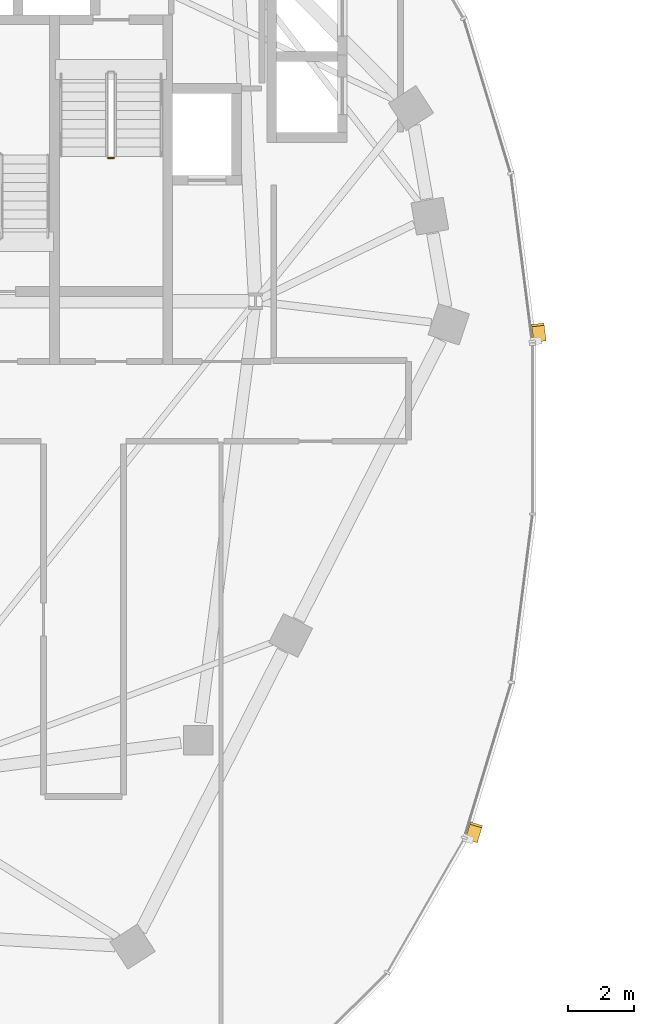
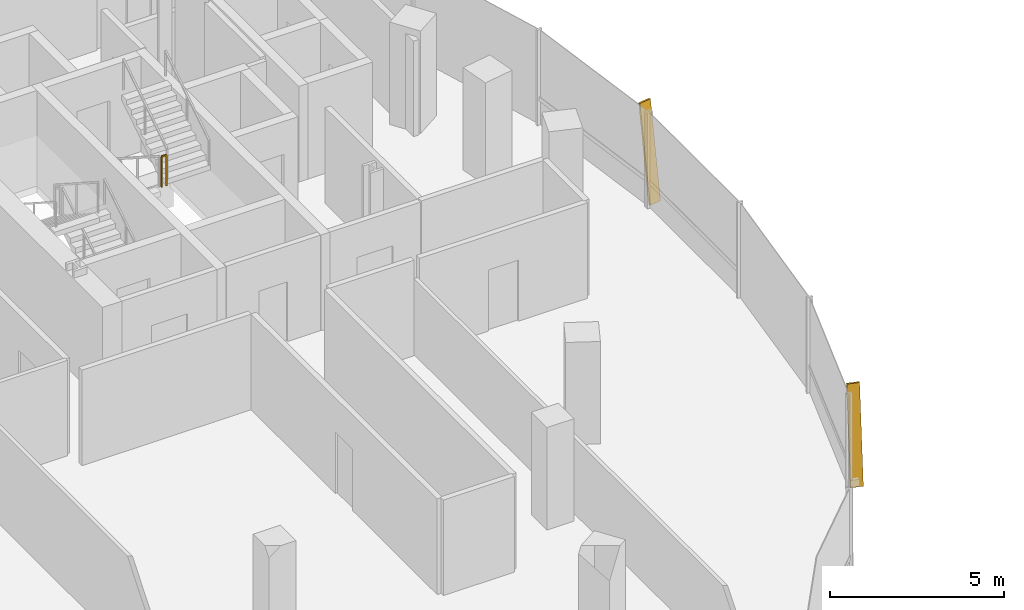
# One storey, part 19 of 22: 2 shading devices, 1 railing.
"""IFC4 building model written with IfcOpenShell, lengths in metres."""

import ifcopenshell
import ifcopenshell.guid

model = None  # the IFC model being written
_history = None  # IfcOwnerHistory: only IFC2X3 demands one
_inside = {}  # id of a spatial element -> (the spatial element, [elements in it])
_under = {}  # id of a project, library or spatial element -> (it, [spatial elements below it])
_declared = {}  # id of a project -> (the project, [libraries it declares])
_typed = {}  # id of a type object -> (the type object, [elements of that type])
_made_of = {}  # id of a material, layer set ... -> (it, [elements and type objects made of it])


def new_model(schema):
    """Start an empty IFC model of exactly this schema.

    Asked for "IFC4X3", IfcOpenShell would pick the latest addendum, in which some entities
    have other attributes; the version numbers below select the first issue.
    IFC2X3 requires an IfcOwnerHistory on every rooted entity: one is made here for all.
    """
    global model, _history
    if schema == "IFC4X3":
        model = ifcopenshell.file(schema_version=(4, 3, 0, 0))
    else:
        model = ifcopenshell.file(schema=schema)
    _inside.clear()
    _under.clear()
    _declared.clear()
    _typed.clear()
    _made_of.clear()
    _history = None
    if model.schema == "IFC2X3":
        org = make("IfcOrganization", Name="unknown")
        user = make(
            "IfcPersonAndOrganization",
            ThePerson=make("IfcPerson", FamilyName="unknown"),
            TheOrganization=org,
        )
        app = make(
            "IfcApplication",
            ApplicationDeveloper=org,
            Version="unknown",
            ApplicationFullName="unknown",
            ApplicationIdentifier="unknown",
        )
        _history = make(
            "IfcOwnerHistory",
            OwningUser=user,
            OwningApplication=app,
            ChangeAction="ADDED",
            CreationDate=0,
        )
    return model


def make(cls, **values):
    """One entity of the class cls with the attributes given. An attribute that is None is left unset."""
    return model.create_entity(
        cls, **{name: value for name, value in values.items() if value is not None}
    )


def rooted(cls, **values):
    """An entity with a GlobalId (a new one), such as an element, a storey or a relation."""
    return make(cls, GlobalId=ifcopenshell.guid.new(), OwnerHistory=_history, **values)


def si_unit(unit_type, name, prefix=None):
    """IfcSIUnit, for example si_unit("LENGTHUNIT", "METRE", prefix="MILLI")."""
    return make("IfcSIUnit", UnitType=unit_type, Prefix=prefix, Name=name)


def assignment(units):
    """IfcUnitAssignment: the units of a project."""
    return None if units is None else make("IfcUnitAssignment", Units=units)


def point(xyz):
    """IfcCartesianPoint."""
    return None if xyz is None else make("IfcCartesianPoint", Coordinates=xyz)


def direction(xyz):
    """IfcDirection."""
    return None if xyz is None else make("IfcDirection", DirectionRatios=xyz)


def frame(location, z_axis=None, x_axis=None):
    """IfcAxis2Placement3D, a coordinate frame: its origin and axes. An axis left out is left unset."""
    return make(
        "IfcAxis2Placement3D",
        Location=point(location),
        Axis=direction(z_axis),
        RefDirection=direction(x_axis),
    )


def frame_2d(location, x_axis=None):
    """IfcAxis2Placement2D, a coordinate frame in the plane: its origin and x axis."""
    return make(
        "IfcAxis2Placement2D", Location=point(location), RefDirection=direction(x_axis)
    )


def origin():
    """The frame at (0, 0, 0) with its axes left unset."""
    return frame((0.0, 0.0, 0.0))


def origin_2d():
    """The frame at (0, 0) in the plane with its x axis left unset."""
    return frame_2d((0.0, 0.0))


def place(relative_to, where):
    """IfcLocalPlacement: puts the frame where relative to a parent placement (None: the world)."""
    return make(
        "IfcLocalPlacement", PlacementRelTo=relative_to, RelativePlacement=where
    )


def context(
    kind, dimensions, precision=None, world=None, true_north=None, identifier=None
):
    """IfcGeometricRepresentationContext, for example the 3D "Model" context."""
    return make(
        "IfcGeometricRepresentationContext",
        ContextIdentifier=identifier,
        ContextType=kind,
        CoordinateSpaceDimension=dimensions,
        Precision=precision,
        WorldCoordinateSystem=world,
        TrueNorth=true_north,
    )


def subcontext(parent, identifier, kind, view, scale=None):
    """IfcGeometricRepresentationSubContext, for example "Body" below "Model"."""
    return make(
        "IfcGeometricRepresentationSubContext",
        ContextIdentifier=identifier,
        ContextType=kind,
        ParentContext=parent,
        TargetScale=scale,
        TargetView=view,
    )


def project(units=None, contexts=None):
    """IfcProject with its units and contexts."""
    return rooted(
        "IfcProject",
        Name="project",
        RepresentationContexts=contexts,
        UnitsInContext=assignment(units),
    )


def spatial(cls, under=None, at=None, **own):
    """A site, building, storey or space (cls), placed at a placement, below another one or the project."""
    s = rooted(cls, ObjectPlacement=at, **own)
    if under is not None:
        _under.setdefault(under.id(), (under, []))[1].append(s)
    return s


def profile(cls, at=None, kind="AREA", **sizes):
    """A parametric profile (cls). Its sizes go by their IFC names, for example OverallWidth=200.0."""
    return make(cls, ProfileType=kind, Position=at, **sizes)


def rectangle(**sizes):
    """IfcRectangleProfileDef."""
    return profile("IfcRectangleProfileDef", **sizes)


def extrude(swept, where, along, depth):
    """IfcExtrudedAreaSolid: the profile swept, set in the frame where, extruded along a direction by depth."""
    return make(
        "IfcExtrudedAreaSolid",
        SweptArea=swept,
        Position=where,
        ExtrudedDirection=direction(along),
        Depth=depth,
    )


def shape(context_of_items, identifier, shape_type, items):
    """IfcShapeRepresentation: the items that make up one representation, for example the "Body"."""
    return make(
        "IfcShapeRepresentation",
        ContextOfItems=context_of_items,
        RepresentationIdentifier=identifier,
        RepresentationType=shape_type,
        Items=items,
    )


def material(Name=None, Category=None):
    """IfcMaterial."""
    return make("IfcMaterial", Name=Name, Category=Category)


def material_profile(
    of_material, cross_section, Name=None, Category=None, Priority=None
):
    """IfcMaterialProfile: a cross section and its material."""
    return make(
        "IfcMaterialProfile",
        Name=Name,
        Material=of_material,
        Profile=cross_section,
        Priority=Priority,
        Category=Category,
    )


def profile_set(profiles, Name=None, composite=None):
    """IfcMaterialProfileSet."""
    return make(
        "IfcMaterialProfileSet",
        Name=Name,
        MaterialProfiles=profiles,
        CompositeProfile=composite,
    )


def made_of(thing, what):
    """Note that an element or type object is made of a material, layer set ...; save() writes the relation."""
    if what is not None:
        _made_of.setdefault(what.id(), (what, []))[1].append(thing)
    return thing


def type_object(cls, material=None, **own):
    """A type object (cls), such as IfcWallType, which elements share."""
    return made_of(rooted(cls, **own), material)


def element(
    cls,
    number,
    at=None,
    inside=None,
    cuts=None,
    type_object=None,
    material=None,
    context=None,
    identifier="Body",
    shape_type=None,
    held_by="IfcProductDefinitionShape",
    body=None,
    shapes=None,
    **own,
):
    """One element of the class cls, such as IfcWall. Its Tag is "e" and its number.

    at: its placement. inside: the storey or other place that contains it. cuts: it is an
    opening in that element (IfcRelVoidsElement). A single representation is given by context,
    identifier, shape_type and body (its items); several are given by shapes. held_by: the class
    of the entity that holds the representations. save() writes the other relations.
    """
    e = rooted(cls, Tag="e%d" % number, ObjectPlacement=at, **own)
    if body is not None:
        shapes = [shape(context, identifier, shape_type, body)]
    if shapes is not None:
        e.Representation = make(held_by, Representations=shapes)
    if inside is not None:
        _inside.setdefault(inside.id(), (inside, []))[1].append(e)
    if cuts is not None:
        rooted(
            "IfcRelVoidsElement", RelatingBuildingElement=cuts, RelatedOpeningElement=e
        )
    if type_object is not None:
        _typed.setdefault(type_object.id(), (type_object, []))[1].append(e)
    return made_of(e, material)


def aggregate(whole, parts):
    """IfcRelAggregates: a whole, such as a stair, and the parts it consists of."""
    return rooted("IfcRelAggregates", RelatingObject=whole, RelatedObjects=parts)


def save(model, path):
    """Write the relations noted so far, then the file.

    IfcRelAggregates (storeys below a building ...), IfcRelContainedInSpatialStructure (elements
    in a storey), IfcRelDefinesByType, IfcRelAssociatesMaterial and IfcRelDeclares: one each for
    every whole, place, type object, material and project.
    """
    for whole, parts in _under.values():
        aggregate(whole, parts)
    for where, things in _inside.values():
        rooted(
            "IfcRelContainedInSpatialStructure",
            RelatedElements=things,
            RelatingStructure=where,
        )
    for kind, things in _typed.values():
        rooted("IfcRelDefinesByType", RelatedObjects=things, RelatingType=kind)
    for what, things in _made_of.values():
        rooted("IfcRelAssociatesMaterial", RelatedObjects=things, RelatingMaterial=what)
    for by, libraries in _declared.values():
        rooted("IfcRelDeclares", RelatingContext=by, RelatedDefinitions=libraries)
    model.write(path)


model = new_model("IFC4")

# Units and contexts
model_context = context("Model", 3, precision=1e-05, world=origin(), true_north=direction((0.0, 1.0)))
body_context = subcontext(model_context, "Body", "Model", "MODEL_VIEW")
ifc_project = project(units=[si_unit("LENGTHUNIT", "METRE"), si_unit("AREAUNIT", "SQUARE_METRE"), si_unit("VOLUMEUNIT", "CUBIC_METRE"), si_unit("PLANEANGLEUNIT", "RADIAN"), si_unit("MASSUNIT", "GRAM", prefix="KILO"), si_unit("THERMODYNAMICTEMPERATUREUNIT", "KELVIN"), si_unit("POWERUNIT", "WATT")], contexts=[model_context])

# Site, building, storey
site_placement = place(None, origin())
site = spatial("IfcSite", under=ifc_project, at=site_placement, CompositionType="ELEMENT")
building_placement = place(site_placement, origin())
building = spatial("IfcBuilding", under=site, at=building_placement, Name="Cundina Bronze Exchange", CompositionType="ELEMENT")
storey_placement = place(building_placement, frame((0.0, 0.0, 136.800048828125)))
storey = spatial("IfcBuildingStorey", under=building, at=storey_placement, Name="L35", CompositionType="ELEMENT", Elevation=136.800048828125)

# Railing
ifc_material_1 = material(Name="Steel ASTM A36 Painted", Category="steel")
railing_type = type_object("IfcRailingType", Name="RLG-STG-1100", PredefinedType="GUARDRAIL", material=ifc_material_1)
railing_placement = place(storey_placement, frame((-25.93994140625, 8.280029296875, 1.800048828125)))
element("IfcRailing", 1, at=railing_placement, inside=storey, type_object=railing_type, Name="L35 ST-W2 stair guard 2", PredefinedType="GUARDRAIL", context=body_context, shape_type="SweptSolid", body=[
    extrude(rectangle(XDim=0.048095703125, YDim=0.048095703125, at=origin_2d()), frame((0.0, 0.0, 1.076171875), z_axis=(1.0, 0.0, 0.0), x_axis=(0.0, 1.0, 0.0)), (0.0, 0.0, 1.0), 0.159912109375),
    extrude(rectangle(XDim=0.0419921875, YDim=0.0419921875, at=origin_2d()), origin(), (0.0, 0.0, 1.0), 1.052001953125),
    extrude(rectangle(XDim=0.0419921875, YDim=0.0419921875, at=origin_2d()), frame((0.159912109375, 0.0, 0.0)), (0.0, 0.0, 1.0), 1.052001953125),
])

# Shading devices
ifc_material_2 = material(Name="Anodised Bronze Aluminium 6063-T6", Category="aluminium")
ifc_material_profile = material_profile(ifc_material_2, rectangle(XDim=0.070068359375, YDim=0.3798828125, at=origin_2d()), Name="FIN70X380", Category="aluminium")
ifc_profile_set = profile_set([ifc_material_profile], Name="Anodised Bronze Aluminium 6063-T6")
shading_device_type = type_object("IfcShadingDeviceType", Name="SHD-FIN-BRZ380", PredefinedType="USERDEFINED", material=ifc_profile_set)
for number, where, z_axis, x_axis, name in (
    (2, (-12.76513671875, 2.705810546875, 0.02001953125), (-0.018123110499, 0.141927973785, 0.989711070527), (0.125360600332, -0.981739641151, 0.143080386066), "L35 Diagonal Bronze Solar Fin 1"),
    (3, (-14.848876953125, -12.5439453125, 0.02001953125), (0.041486383227, 0.136977847776, 0.989704980904), (-0.286882071994, -0.94721413946, 0.143122502684), "L35 Diagonal Bronze Solar Fin 5"),
):
    element("IfcShadingDevice", number, at=place(storey_placement, frame(where, z_axis=z_axis, x_axis=x_axis)), inside=storey, type_object=shading_device_type, Name=name, ObjectType="FIN", PredefinedType="USERDEFINED", context=body_context, shape_type="SweptSolid", body=[
        extrude(rectangle(XDim=0.070068359375, YDim=0.3798828125, at=origin_2d()), origin(), (0.0, 0.0, 1.0), 3.354248046875),
    ])

save(model, "model.ifc")
